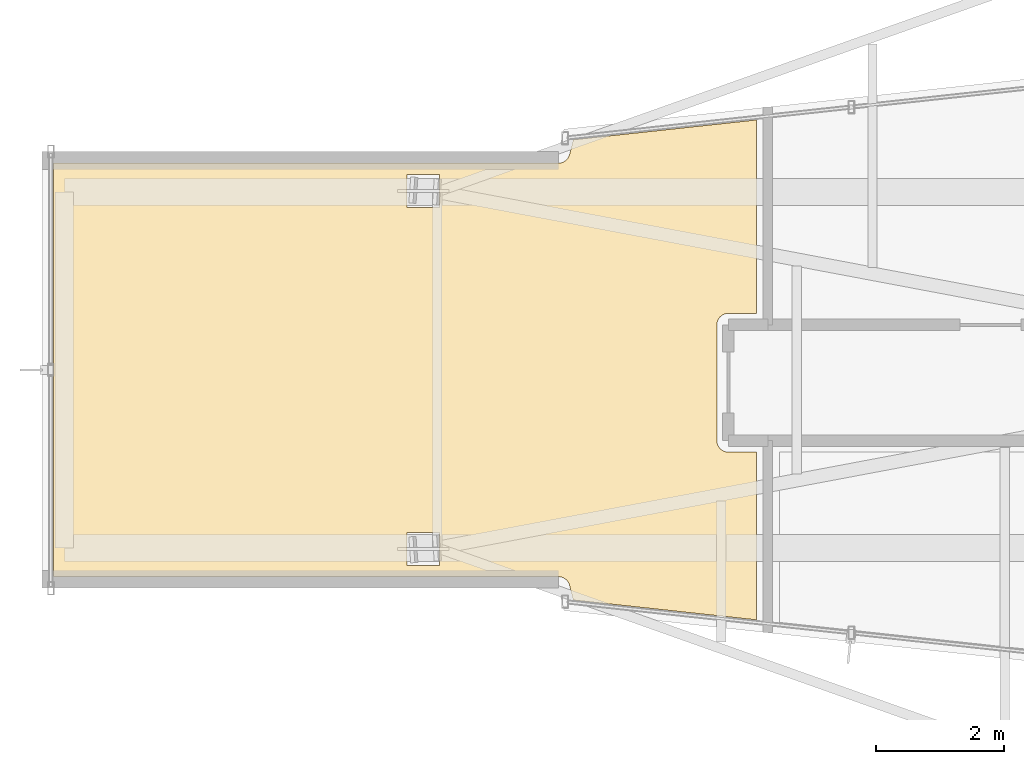
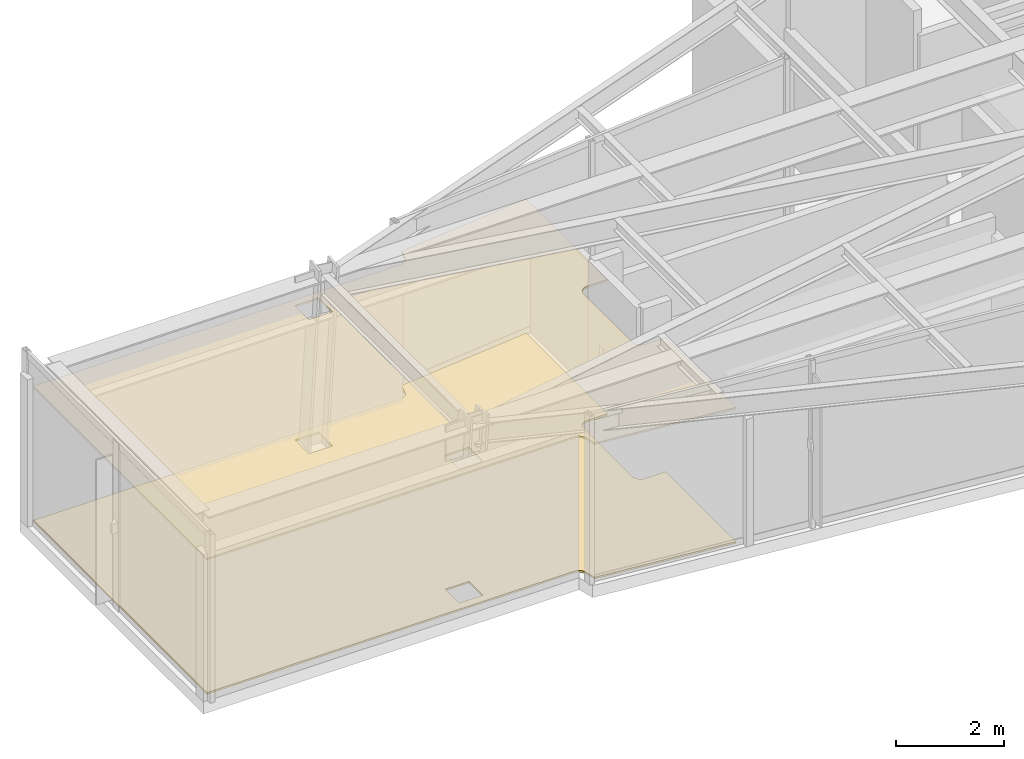
# One storey, part 15 of 18: 2 coverings.
"""IFC4 building model written with IfcOpenShell, lengths in metres."""

from ifc_helpers import new_model, si_unit, direction, frame, origin, place, context, subcontext, project, spatial, polyline, outline, extrude, material, layer, layer_set, type_object, element, save


model = new_model("IFC4")

# Units and contexts
model_context = context("Model", 3, precision=1e-05, world=origin(), true_north=direction((0.0, 1.0)))
body_context = subcontext(model_context, "Body", "Model", "MODEL_VIEW")
ifc_project = project(units=[si_unit("LENGTHUNIT", "METRE"), si_unit("AREAUNIT", "SQUARE_METRE"), si_unit("VOLUMEUNIT", "CUBIC_METRE"), si_unit("PLANEANGLEUNIT", "RADIAN"), si_unit("MASSUNIT", "GRAM", prefix="KILO")], contexts=[model_context])

# Site, building, storey
site_placement = place(None, origin())
site = spatial("IfcSite", under=ifc_project, at=site_placement, CompositionType="ELEMENT")
building_placement = place(site_placement, origin())
building = spatial("IfcBuilding", under=site, at=building_placement, Name="Veymaron Broadcast Tower", CompositionType="ELEMENT")
storey_placement = place(building_placement, frame((0.0, 0.0, 319.5)))
storey = spatial("IfcBuildingStorey", under=building, at=storey_placement, Name="L75", CompositionType="ELEMENT", Elevation=319.5)

# Coverings
ifc_material_1 = material(Name="Perforated acoustic mineral-fibre ceiling tile", Category="gypsum")
ifc_layer_1 = layer(ifc_material_1, 0.0400390625)
ifc_layer_set_1 = layer_set([ifc_layer_1], Name="Perforated acoustic mineral-fibre ceiling tile")
covering_type_1 = type_object("IfcCoveringType", Name="COV-CEIL-ACT", PredefinedType="CEILING", material=ifc_layer_set_1)
covering_1_placement = place(storey_placement, frame((0.0, 0.0, 3.0400390625)))
element("IfcCovering", 1, at=covering_1_placement, inside=storey, type_object=covering_type_1, Name="L75 suspended acoustic ceiling 2", PredefinedType="CEILING", context=body_context, shape_type="SweptSolid", body=[
    extrude(outline(polyline([(18.370361328125, 20.779296875), (18.353515625, 20.780029296875), (10.48876953125, 20.780029296875), (10.48876953125, 27.219970703125), (18.353515625, 27.219970703125), (18.370361328125, 27.220703125), (18.38720703125, 27.22314453125), (18.40380859375, 27.227294921875), (18.419921875, 27.23291015625), (18.435546875, 27.23974609375), (18.450439453125, 27.248291015625), (18.46435546875, 27.25830078125), (18.477294921875, 27.269287109375), (18.489013671875, 27.281494140625), (18.49951171875, 27.294921875), (18.5087890625, 27.309326171875), (18.516845703125, 27.324462890625), (18.523193359375, 27.34033203125), (18.528076171875, 27.356689453125), (18.58447265625, 27.583251953125), (21.43408203125, 27.89208984375), (21.43408203125, 24.8798828125), (21.0, 24.8798828125), (20.982421875, 24.879150390625), (20.96484375, 24.87646484375), (20.94775390625, 24.872314453125), (20.93115234375, 24.8662109375), (20.9150390625, 24.858642578125), (20.89990234375, 24.849609375), (20.8857421875, 24.839111328125), (20.872802734375, 24.827392578125), (20.86083984375, 24.814208984375), (20.850341796875, 24.800048828125), (20.84130859375, 24.784912109375), (20.833740234375, 24.768798828125), (20.827880859375, 24.752197265625), (20.823486328125, 24.735107421875), (20.82080078125, 24.717529296875), (20.820068359375, 24.699951171875), (20.820068359375, 22.89990234375), (20.82080078125, 22.88232421875), (20.823486328125, 22.864990234375), (20.827880859375, 22.84765625), (20.833740234375, 22.8310546875), (20.84130859375, 22.815185546875), (20.850341796875, 22.800048828125), (20.86083984375, 22.785888671875), (20.872802734375, 22.772705078125), (20.8857421875, 22.760986328125), (20.89990234375, 22.750244140625), (20.9150390625, 22.7412109375), (20.93115234375, 22.733642578125), (20.94775390625, 22.727783203125), (20.96484375, 22.723388671875), (20.982421875, 22.720947265625), (21.0, 22.719970703125), (21.43408203125, 22.719970703125), (21.43408203125, 20.10791015625), (18.58447265625, 20.416748046875), (18.528076171875, 20.643310546875), (18.523193359375, 20.65966796875), (18.516845703125, 20.675537109375), (18.5087890625, 20.690673828125), (18.49951171875, 20.705078125), (18.489013671875, 20.718505859375), (18.477294921875, 20.730712890625), (18.46435546875, 20.74169921875), (18.450439453125, 20.751708984375), (18.435546875, 20.76025390625), (18.419921875, 20.76708984375), (18.40380859375, 20.772705078125), (18.38720703125, 20.77685546875), (18.370361328125, 20.779296875)]), holes=[polyline([(15.99267578125, 21.469970703125), (15.99267578125, 20.9541015625), (16.49853515625, 20.9541015625), (16.49853515625, 21.469970703125), (15.99267578125, 21.469970703125)]), polyline([(16.49853515625, 27.0458984375), (15.99267578125, 27.0458984375), (15.99267578125, 26.530029296875), (16.49853515625, 26.530029296875), (16.49853515625, 27.0458984375)])]), origin(), (0.0, 0.0, 1.0), 0.0400390625),
])
ifc_material_2 = material(Name="galvanized steel raised access floor panel", Category="steel")
ifc_layer_2 = layer(ifc_material_2, 0.0400390625)
ifc_layer_set_2 = layer_set([ifc_layer_2], Name="galvanized steel raised access floor panel")
covering_type_2 = type_object("IfcCoveringType", Name="COV-FLR-RAF", PredefinedType="FLOORING", material=ifc_layer_set_2)
covering_2_placement = place(storey_placement, origin())
element("IfcCovering", 2, at=covering_2_placement, inside=storey, type_object=covering_type_2, Name="L75 finished flooring 2", PredefinedType="FLOORING", context=body_context, shape_type="SweptSolid", body=[
    extrude(outline(polyline([(18.370361328125, 20.779296875), (18.353515625, 20.780029296875), (10.48876953125, 20.780029296875), (10.48876953125, 27.219970703125), (18.353515625, 27.219970703125), (18.370361328125, 27.220703125), (18.38720703125, 27.22314453125), (18.40380859375, 27.227294921875), (18.419921875, 27.23291015625), (18.435546875, 27.23974609375), (18.450439453125, 27.248291015625), (18.46435546875, 27.25830078125), (18.477294921875, 27.269287109375), (18.489013671875, 27.281494140625), (18.49951171875, 27.294921875), (18.5087890625, 27.309326171875), (18.516845703125, 27.324462890625), (18.523193359375, 27.34033203125), (18.528076171875, 27.356689453125), (18.58447265625, 27.583251953125), (21.43408203125, 27.89208984375), (21.43408203125, 24.8798828125), (21.0, 24.8798828125), (20.982421875, 24.879150390625), (20.96484375, 24.87646484375), (20.94775390625, 24.872314453125), (20.93115234375, 24.8662109375), (20.9150390625, 24.858642578125), (20.89990234375, 24.849609375), (20.8857421875, 24.839111328125), (20.872802734375, 24.827392578125), (20.86083984375, 24.814208984375), (20.850341796875, 24.800048828125), (20.84130859375, 24.784912109375), (20.833740234375, 24.768798828125), (20.827880859375, 24.752197265625), (20.823486328125, 24.735107421875), (20.82080078125, 24.717529296875), (20.820068359375, 24.699951171875), (20.820068359375, 22.89990234375), (20.82080078125, 22.88232421875), (20.823486328125, 22.864990234375), (20.827880859375, 22.84765625), (20.833740234375, 22.8310546875), (20.84130859375, 22.815185546875), (20.850341796875, 22.800048828125), (20.86083984375, 22.785888671875), (20.872802734375, 22.772705078125), (20.8857421875, 22.760986328125), (20.89990234375, 22.750244140625), (20.9150390625, 22.7412109375), (20.93115234375, 22.733642578125), (20.94775390625, 22.727783203125), (20.96484375, 22.723388671875), (20.982421875, 22.720947265625), (21.0, 22.719970703125), (21.43408203125, 22.719970703125), (21.43408203125, 20.10791015625), (18.58447265625, 20.416748046875), (18.528076171875, 20.643310546875), (18.523193359375, 20.65966796875), (18.516845703125, 20.675537109375), (18.5087890625, 20.690673828125), (18.49951171875, 20.705078125), (18.489013671875, 20.718505859375), (18.477294921875, 20.730712890625), (18.46435546875, 20.74169921875), (18.450439453125, 20.751708984375), (18.435546875, 20.76025390625), (18.419921875, 20.76708984375), (18.40380859375, 20.772705078125), (18.38720703125, 20.77685546875), (18.370361328125, 20.779296875)]), holes=[polyline([(15.99267578125, 21.469970703125), (15.99267578125, 20.9541015625), (16.49853515625, 20.9541015625), (16.49853515625, 21.469970703125), (15.99267578125, 21.469970703125)]), polyline([(16.49853515625, 27.0458984375), (15.99267578125, 27.0458984375), (15.99267578125, 26.530029296875), (16.49853515625, 26.530029296875), (16.49853515625, 27.0458984375)])]), origin(), (0.0, 0.0, 1.0), 0.0400390625),
])

save(model, "model.ifc")
